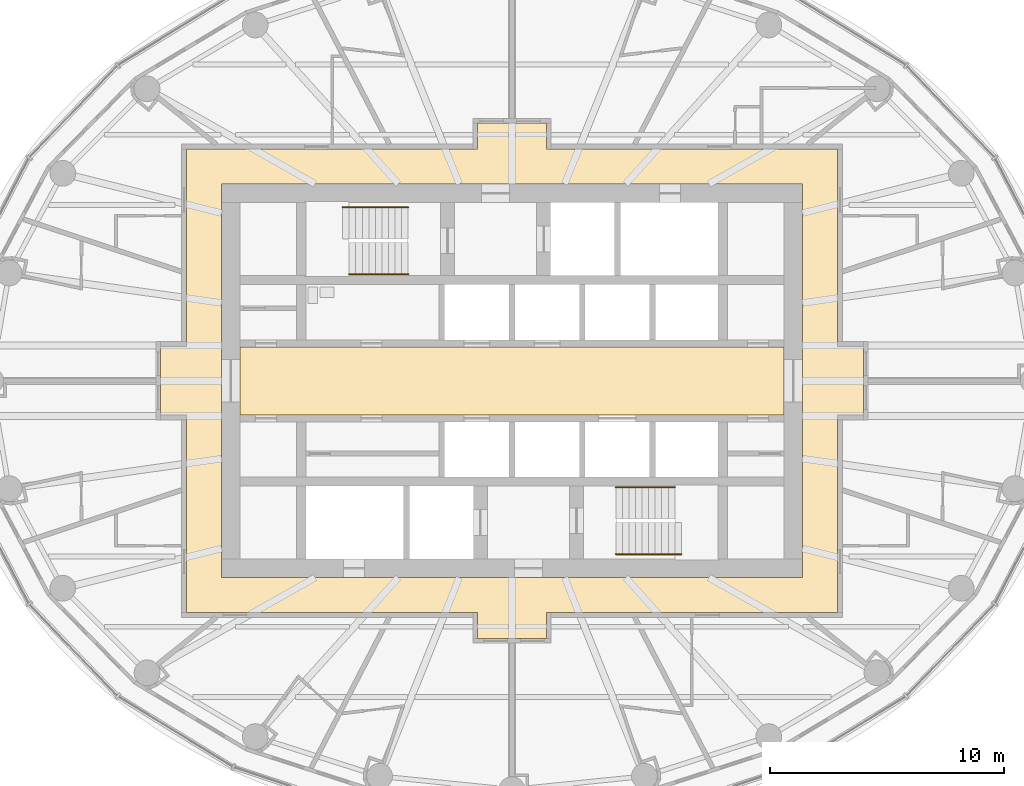
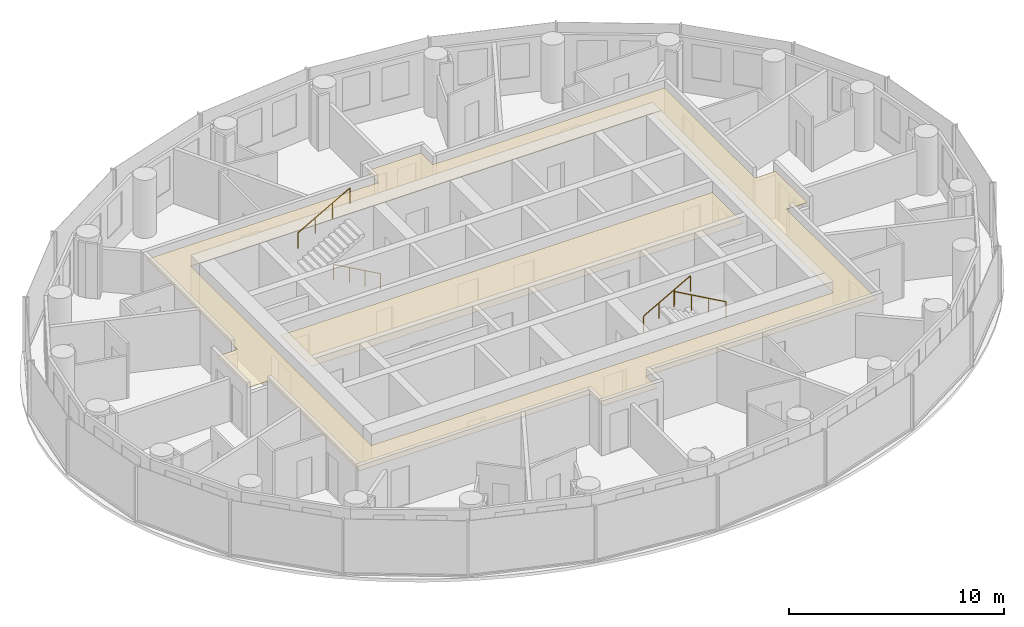
# One storey, part 15 of 16: 4 railings, 2 coverings.
"""IFC4 building model written with IfcOpenShell, lengths in metres."""

from ifc_helpers import new_model, si_unit, direction, frame, origin, origin_2d, place, context, subcontext, project, spatial, polyline, circle, outline, extrude, material, layer, layer_set, type_object, element, save


model = new_model("IFC4")

# Units and contexts
model_context = context("Model", 3, precision=1e-05, world=origin(), true_north=direction((0.0, 1.0)))
body_context = subcontext(model_context, "Body", "Model", "MODEL_VIEW")
ifc_project = project(units=[si_unit("LENGTHUNIT", "METRE"), si_unit("AREAUNIT", "SQUARE_METRE"), si_unit("VOLUMEUNIT", "CUBIC_METRE"), si_unit("PLANEANGLEUNIT", "RADIAN"), si_unit("MASSUNIT", "GRAM", prefix="KILO")], contexts=[model_context])

# Site, building, storey
site_placement = place(None, origin())
site = spatial("IfcSite", under=ifc_project, at=site_placement, CompositionType="ELEMENT")
building_placement = place(site_placement, origin())
building = spatial("IfcBuilding", under=site, at=building_placement, Name="Hankou Lantern Tower", CompositionType="ELEMENT")
storey_placement = place(building_placement, frame((0.0, 0.0, 153.300048828125)))
storey = spatial("IfcBuildingStorey", under=building, at=storey_placement, Name="L40", CompositionType="ELEMENT", Elevation=153.300048828125)

# Coverings
ifc_material_1 = material(Name="Black painted aluminium linear ceiling panels", Category="aluminium")
ifc_layer_1 = layer(ifc_material_1, 0.02490234375)
ifc_layer_set_1 = layer_set([ifc_layer_1], Name="Black painted aluminium linear ceiling panels")
covering_type_1 = type_object("IfcCoveringType", Name="CL1 CORRIDOR CEILING 25", PredefinedType="CEILING", material=ifc_layer_set_1)
covering_1_placement = place(storey_placement, frame((0.0, 0.0, 2.64501953125)))
element("IfcCovering", 1, at=covering_1_placement, inside=storey, type_object=covering_type_1, Name="Corridor ceiling L40", PredefinedType="CEILING", context=body_context, shape_type="SweptSolid", body=[
    extrude(outline(polyline([(1.469970703125, -11.0), (1.469970703125, -9.89990234375), (13.89990234375, -9.89990234375), (13.89990234375, -1.469970703125), (15.0, -1.469970703125), (15.0, 1.469970703125), (13.89990234375, 1.469970703125), (13.89990234375, 9.89990234375), (1.469970703125, 9.89990234375), (1.469970703125, 11.0), (-1.469970703125, 11.0), (-1.469970703125, 9.89990234375), (-13.89990234375, 9.89990234375), (-13.89990234375, 1.469970703125), (-15.0, 1.469970703125), (-15.0, -1.469970703125), (-13.89990234375, -1.469970703125), (-13.89990234375, -9.89990234375), (-1.469970703125, -9.89990234375), (-1.469970703125, -11.0), (1.469970703125, -11.0)]), holes=[polyline([(-12.39990234375, 8.39990234375), (12.39990234375, 8.39990234375), (12.39990234375, -8.39990234375), (-12.39990234375, -8.39990234375), (-12.39990234375, 8.39990234375)])]), origin(), (0.0, 0.0, 1.0), 0.02490234375),
])
ifc_material_2 = material(Name="Perforated black aluminium acoustic tray ceiling", Category="aluminium")
ifc_layer_2 = layer(ifc_material_2, 0.014892578125)
ifc_layer_set_2 = layer_set([ifc_layer_2], Name="Perforated black aluminium acoustic tray ceiling")
covering_type_2 = type_object("IfcCoveringType", Name="CL2 LIFT LOBBY CEILING 15", PredefinedType="CEILING", material=ifc_layer_set_2)
covering_2_placement = place(storey_placement, frame((0.0, 0.0, 2.655029296875)))
element("IfcCovering", 2, at=covering_2_placement, inside=storey, type_object=covering_type_2, Name="Lift lobby ceiling L40", PredefinedType="CEILING", context=body_context, shape_type="SweptSolid", body=[
    extrude(outline(polyline([(-11.60009765625, -1.449951171875), (11.60009765625, -1.449951171875), (11.60009765625, 1.449951171875), (-11.60009765625, 1.449951171875), (-11.60009765625, -1.449951171875)])), origin(), (0.0, 0.0, 1.0), 0.014892578125),
])

# Railings
ifc_material_3 = material(Name="Steel handrail", Category="steel")
railing_type = type_object("IfcRailingType", Name="HR1 STAIR HANDRAIL", PredefinedType="HANDRAIL", material=ifc_material_3)
railing_1_placement = place(storey_placement, frame((-4.429931640625, 4.550048828125, 0.89990234375)))
element("IfcRailing", 3, at=railing_1_placement, inside=storey, type_object=railing_type, Name="Handrail stair STA L40 flight 1", PredefinedType="HANDRAIL", context=body_context, shape_type="SweptSolid", body=[
    extrude(circle(Radius=0.02392578125, at=origin_2d()), frame((0.0, 0.0, 0.8759765625), z_axis=(-0.872048945198, 0.0, 0.489418672692), x_axis=(0.0, -1.0, 0.0)), (0.0, 0.0, 1.0), 2.8896484375),
    extrude(circle(Radius=0.02099609375, at=origin_2d()), origin(), (0.0, 0.0, 1.0), 0.851806640625),
    extrude(circle(Radius=0.02099609375, at=origin_2d()), frame((-0.840087890625, 0.0, 0.471435546875)), (0.0, 0.0, 1.0), 0.851806640625),
    extrude(circle(Radius=0.02099609375, at=origin_2d()), frame((-1.679931640625, 0.0, 0.94287109375)), (0.0, 0.0, 1.0), 0.851806640625),
    extrude(circle(Radius=0.02099609375, at=origin_2d()), frame((-2.52001953125, 0.0, 1.414306640625)), (0.0, 0.0, 1.0), 0.851806640625),
])
railing_2_placement = place(storey_placement, frame((-7.22998046875, 7.39990234375, 2.471435546875)))
element("IfcRailing", 4, at=railing_2_placement, inside=storey, type_object=railing_type, Name="Handrail stair STA L40 flight 2", PredefinedType="HANDRAIL", context=body_context, shape_type="SweptSolid", body=[
    extrude(circle(Radius=0.02392578125, at=origin_2d()), frame((0.0, 0.0, 0.8759765625), z_axis=(0.872072602893, 0.0, 0.489376516891), x_axis=(0.0, 1.0, 0.0)), (0.0, 0.0, 1.0), 3.210693359375),
    extrude(circle(Radius=0.02099609375, at=origin_2d()), origin(), (0.0, 0.0, 1.0), 0.851806640625),
    extrude(circle(Radius=0.02099609375, at=origin_2d()), frame((0.933349609375, 0.0, 0.523681640625)), (0.0, 0.0, 1.0), 0.851806640625),
    extrude(circle(Radius=0.02099609375, at=origin_2d()), frame((1.86669921875, 0.0, 1.047607421875)), (0.0, 0.0, 1.0), 0.851806640625),
    extrude(circle(Radius=0.02099609375, at=origin_2d()), frame((2.800048828125, 0.0, 1.5712890625)), (0.0, 0.0, 1.0), 0.851806640625),
])
railing_3_placement = place(storey_placement, frame((4.429931640625, -4.550048828125, 0.89990234375)))
element("IfcRailing", 5, at=railing_3_placement, inside=storey, type_object=railing_type, Name="Handrail stair STB L40 flight 1", PredefinedType="HANDRAIL", context=body_context, shape_type="SweptSolid", body=[
    extrude(circle(Radius=0.02392578125, at=origin_2d()), frame((0.0, 0.0, 0.8759765625), z_axis=(0.872048945198, 0.0, 0.489418672692), x_axis=(0.0, 1.0, 0.0)), (0.0, 0.0, 1.0), 2.8896484375),
    extrude(circle(Radius=0.02099609375, at=origin_2d()), origin(), (0.0, 0.0, 1.0), 0.851806640625),
    extrude(circle(Radius=0.02099609375, at=origin_2d()), frame((0.840087890625, 0.0, 0.471435546875)), (0.0, 0.0, 1.0), 0.851806640625),
    extrude(circle(Radius=0.02099609375, at=origin_2d()), frame((1.679931640625, 0.0, 0.94287109375)), (0.0, 0.0, 1.0), 0.851806640625),
    extrude(circle(Radius=0.02099609375, at=origin_2d()), frame((2.52001953125, 0.0, 1.414306640625)), (0.0, 0.0, 1.0), 0.851806640625),
])
railing_4_placement = place(storey_placement, frame((7.22998046875, -7.39990234375, 2.471435546875)))
element("IfcRailing", 6, at=railing_4_placement, inside=storey, type_object=railing_type, Name="Handrail stair STB L40 flight 2", PredefinedType="HANDRAIL", context=body_context, shape_type="SweptSolid", body=[
    extrude(circle(Radius=0.02392578125, at=origin_2d()), frame((0.0, 0.0, 0.8759765625), z_axis=(-0.872072602893, 0.0, 0.489376516891), x_axis=(0.0, -1.0, 0.0)), (0.0, 0.0, 1.0), 3.210693359375),
    extrude(circle(Radius=0.02099609375, at=origin_2d()), origin(), (0.0, 0.0, 1.0), 0.851806640625),
    extrude(circle(Radius=0.02099609375, at=origin_2d()), frame((-0.933349609375, 0.0, 0.523681640625)), (0.0, 0.0, 1.0), 0.851806640625),
    extrude(circle(Radius=0.02099609375, at=origin_2d()), frame((-1.86669921875, 0.0, 1.047607421875)), (0.0, 0.0, 1.0), 0.851806640625),
    extrude(circle(Radius=0.02099609375, at=origin_2d()), frame((-2.800048828125, 0.0, 1.5712890625)), (0.0, 0.0, 1.0), 0.851806640625),
])

save(model, "model.ifc")
